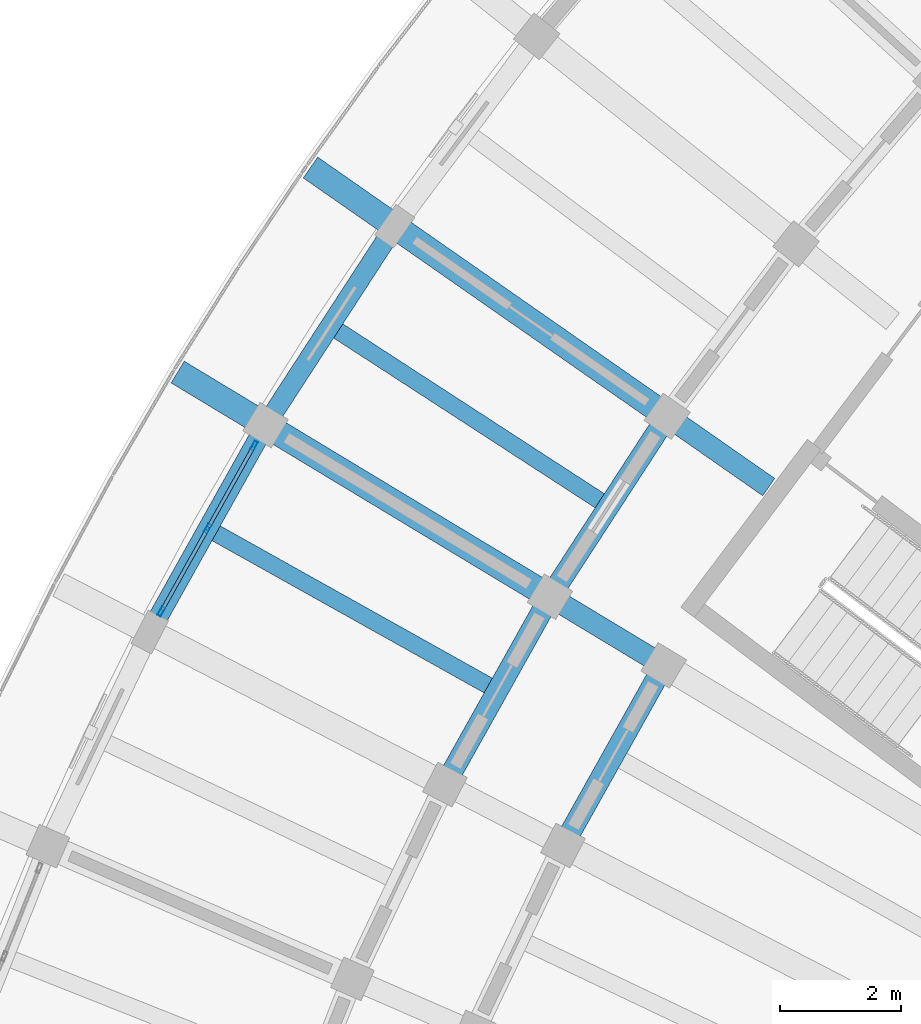
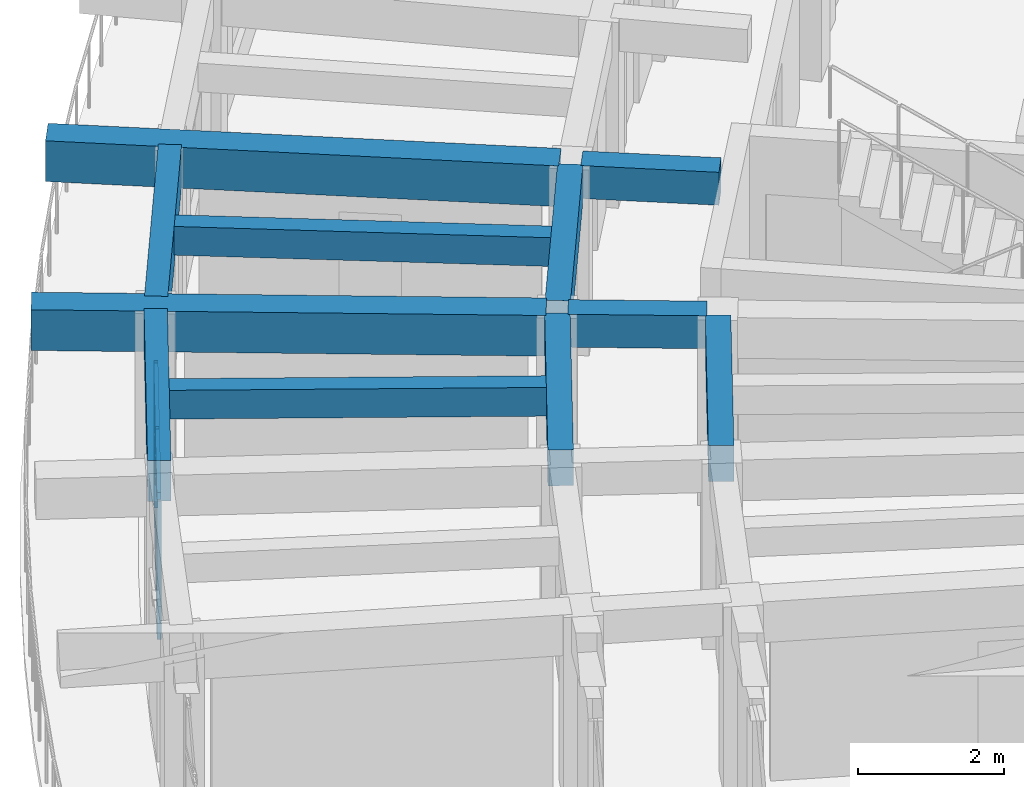
# One storey, part 14 of 96: 11 beams, 9 members, 1 element without a shape of its own.
"""IFC4 building model written with IfcOpenShell, lengths in metres."""

from ifc_helpers import new_model, si_unit, direction, frame, origin, origin_2d, place, context, subcontext, project, spatial, rectangle, hollow_rectangle, extrude, material, material_profile, profile_set, type_object, element, aggregate, save


model = new_model("IFC4")

# Units and contexts
model_context = context("Model", 3, precision=1e-05, world=origin(), true_north=direction((0.0, 1.0)))
body_context = subcontext(model_context, "Body", "Model", "MODEL_VIEW")
ifc_project = project(units=[si_unit("LENGTHUNIT", "METRE"), si_unit("AREAUNIT", "SQUARE_METRE"), si_unit("VOLUMEUNIT", "CUBIC_METRE"), si_unit("PLANEANGLEUNIT", "RADIAN"), si_unit("MASSUNIT", "GRAM", prefix="KILO")], contexts=[model_context])

# Site, building, storey
site_placement = place(None, origin())
site = spatial("IfcSite", under=ifc_project, at=site_placement, CompositionType="ELEMENT")
building_placement = place(site_placement, origin())
building = spatial("IfcBuilding", under=site, at=building_placement, Name="Tanwirah Colonnade Gardens", CompositionType="ELEMENT")
storey_placement = place(building_placement, frame((0.0, 0.0, 12.199951171875)))
storey = spatial("IfcBuildingStorey", under=building, at=storey_placement, Name="L03", CompositionType="ELEMENT", Elevation=12.199951171875)

# Beams
ifc_material_1 = material(Name="Precast concrete C40/50", Category="concrete")
ifc_material_profile_1 = material_profile(ifc_material_1, rectangle(XDim=0.35009765625, YDim=0.550048828125, at=origin_2d()), Name="PC-BM 350x550")
ifc_profile_set_1 = profile_set([ifc_material_profile_1], Name="Precast concrete C40/50")
beam_type_1 = type_object("IfcBeamType", Name="BM-PC350A", PredefinedType="BEAM", material=ifc_profile_set_1)
for number, where, z_axis, x_axis, name in (
    (1, (22.346435546875, 89.943359375, 2.830078125), (-0.820305001782, 0.571926309983, 0.0), (-0.571926309983, -0.820305001782, 0.0), "Block A L03 Corridor Tie Beam 13"),
    (2, (20.479248046875, 87.068359375, 2.830078125), (-0.856174920318, 0.516686080534, 0.0), (-0.516686080534, -0.856174920318, 0.0), "Block A L03 Corridor Tie Beam 14"),
):
    element("IfcBeam", number, at=place(storey_placement, frame(where, z_axis=z_axis, x_axis=x_axis)), inside=storey, type_object=beam_type_1, Name=name, PredefinedType="BEAM", context=body_context, shape_type="SweptSolid", body=[
        extrude(rectangle(XDim=0.35009765625, YDim=0.550048828125, at=origin_2d()), origin(), (0.0, 0.0, 1.0), 1.89990234375),
    ])
ifc_material_profile_2 = material_profile(ifc_material_1, rectangle(XDim=0.35009765625, YDim=0.60009765625, at=origin_2d()), Name="PC-BM 350x600")
ifc_profile_set_2 = profile_set([ifc_material_profile_2], Name="Precast concrete C40/50")
beam_type_2 = type_object("IfcBeamType", Name="BM-PC350B", PredefinedType="BEAM", material=ifc_profile_set_2)
beam_1_placement = place(storey_placement, frame((20.5830078125, 90.989990234375, 2.804931640625), z_axis=(-0.544627998385, -0.838677735114, 0.0), x_axis=(0.838677735114, -0.544627998385, 0.0)))
element("IfcBeam", 3, at=beam_1_placement, inside=storey, type_object=beam_type_2, Name="Block A L03 Circumferential Beam 13-R2", PredefinedType="BEAM", context=body_context, shape_type="SweptSolid", body=[
    extrude(rectangle(XDim=0.35009765625, YDim=0.60009765625, at=origin_2d()), origin(), (0.0, 0.0, 1.0), 3.262939453125),
])
beam_2_placement = place(storey_placement, frame((20.534423828125, 86.85986328125, 2.804931640625), z_axis=(-0.488200372352, -0.872731571811, 0.0), x_axis=(0.872731571811, -0.488200372352, 0.0)))
element("IfcBeam", 4, at=beam_2_placement, inside=storey, type_object=beam_type_2, Name="Block A L03 Circumferential Beam 14-R1", PredefinedType="BEAM", context=body_context, shape_type="SweptSolid", body=[
    extrude(rectangle(XDim=0.35009765625, YDim=0.60009765625, at=origin_2d()), origin(), (0.0, 0.0, 1.0), 3.117919921875),
])
beam_3_placement = place(storey_placement, frame((18.65087890625, 87.99658203125, 2.804931640625), z_axis=(-0.488213717102, -0.87272410671, 0.0), x_axis=(0.87272410671, -0.488213717102, 0.0)))
element("IfcBeam", 5, at=beam_3_placement, inside=storey, type_object=beam_type_2, Name="Block A L03 Circumferential Beam 14-R2", PredefinedType="BEAM", context=body_context, shape_type="SweptSolid", body=[
    extrude(rectangle(XDim=0.35009765625, YDim=0.60009765625, at=origin_2d()), origin(), (0.0, 0.0, 1.0), 3.262939453125),
])
ifc_material_2 = material(Name="Precast concrete C45/55", Category="concrete")
ifc_material_profile_3 = material_profile(ifc_material_2, rectangle(XDim=0.419921875, YDim=0.679931640625, at=origin_2d()), Name="PC-BM 420x680")
ifc_profile_set_3 = profile_set([ifc_material_profile_3], Name="Precast concrete C45/55")
beam_type_3 = type_object("IfcBeamType", Name="BM-PC420", PredefinedType="BEAM", material=ifc_profile_set_3)
for number, where, z_axis, x_axis, name in (
    (6, (20.541748046875, 91.20166015625, 2.76513671875), (-0.820270158139, 0.571976282433, 0.0), (-0.571976282433, -0.820270158139, 0.0), "Block A L03 Outer Radial Precast Girder 13"),
    (7, (18.595703125, 88.205078125, 2.76513671875), (-0.856157813984, 0.516714425533, 0.0), (-0.516714425533, -0.856157813984, 0.0), "Block A L03 Outer Radial Precast Girder 14"),
):
    element("IfcBeam", number, at=place(storey_placement, frame(where, z_axis=z_axis, x_axis=x_axis)), inside=storey, type_object=beam_type_3, Name=name, PredefinedType="BEAM", context=body_context, shape_type="SweptSolid", body=[
        extrude(rectangle(XDim=0.419921875, YDim=0.679931640625, at=origin_2d()), origin(), (0.0, 0.0, 1.0), 7.050048828125),
    ])

# Curtain wall, members
ifc_material_3 = material(Name="Bronze-anodised aluminium and solar-control low-E glass", Category="aluminium")
curtain_wall_type = type_object("IfcCurtainWallType", Name="CW-LOB", PredefinedType="NOTDEFINED", material=ifc_material_3)
curtain_wall_placement = place(storey_placement, origin())
curtain_wall = element("IfcCurtainWall", 8, at=curtain_wall_placement, inside=storey, type_object=curtain_wall_type, Name="Curtain Wall CW-A-L03-OUT-14", PredefinedType="NOTDEFINED")
ifc_material_4 = material(Name="Bronze-anodised aluminium", Category="aluminium")
ifc_material_profile_4 = material_profile(ifc_material_4, hollow_rectangle(XDim=0.06005859375, YDim=0.159912109375, WallThickness=0.00390625, at=origin_2d()), Name="CW-MUL 60x160x4")
ifc_profile_set_4 = profile_set([ifc_material_profile_4], Name="Bronze-anodised aluminium")
member_type_1 = type_object("IfcMemberType", Name="CWM-60x160", PredefinedType="MULLION", material=ifc_profile_set_4)
member_1_placement = place(storey_placement, frame((13.824951171875, 90.629150390625, 0.0), z_axis=(0.0, 0.0, 1.0), x_axis=(0.872732421781, -0.488198852899, 0.0)))
member_1 = element("IfcMember", 9, at=member_1_placement, type_object=member_type_1, Name="CW-LOB mullion 1", PredefinedType="MULLION", context=body_context, shape_type="SweptSolid", body=[
    extrude(hollow_rectangle(XDim=0.06005859375, YDim=0.159912109375, WallThickness=0.00390625, at=origin_2d()), origin(), (0.0, 0.0, 1.0), 2.35498046875),
])
member_2_placement = place(storey_placement, frame((13.056884765625, 89.25634765625, 0.0), z_axis=(0.0, 0.0, 1.0), x_axis=(0.872732421781, -0.488198852899, 0.0)))
member_2 = element("IfcMember", 10, at=member_2_placement, type_object=member_type_1, Name="CW-LOB mullion 2", PredefinedType="MULLION", context=body_context, shape_type="SweptSolid", body=[
    extrude(hollow_rectangle(XDim=0.06005859375, YDim=0.159912109375, WallThickness=0.00390625, at=origin_2d()), origin(), (0.0, 0.0, 1.0), 2.35498046875),
])
member_3_placement = place(storey_placement, frame((12.2890625, 87.8837890625, 0.0), z_axis=(0.0, 0.0, 1.0), x_axis=(0.872732421781, -0.488198852899, 0.0)))
member_3 = element("IfcMember", 11, at=member_3_placement, type_object=member_type_1, Name="CW-LOB mullion 3", PredefinedType="MULLION", context=body_context, shape_type="SweptSolid", body=[
    extrude(hollow_rectangle(XDim=0.06005859375, YDim=0.159912109375, WallThickness=0.00390625, at=origin_2d()), origin(), (0.0, 0.0, 1.0), 2.35498046875),
])
ifc_material_profile_5 = material_profile(ifc_material_4, hollow_rectangle(XDim=0.06005859375, YDim=0.1201171875, WallThickness=0.00390625, at=origin_2d()), Name="CW-TRN 60x120x4")
ifc_profile_set_5 = profile_set([ifc_material_profile_5], Name="Bronze-anodised aluminium")
member_type_2 = type_object("IfcMemberType", Name="CWT-60x120", PredefinedType="USERDEFINED", material=ifc_profile_set_5)
member_4_placement = place(storey_placement, frame((13.810302734375, 90.602783203125, 0.030029296875), z_axis=(-0.488298686347, -0.87267656833, 0.0), x_axis=(0.87267656833, -0.488298686347, 0.0)))
member_4 = element("IfcMember", 12, at=member_4_placement, type_object=member_type_2, Name="CW-LOB transom 1.1", ObjectType="TRANSOM", PredefinedType="USERDEFINED", context=body_context, shape_type="SweptSolid", body=[
    extrude(hollow_rectangle(XDim=0.06005859375, YDim=0.1201171875, WallThickness=0.00390625, at=origin_2d()), origin(), (0.0, 0.0, 1.0), 1.512939453125),
])
member_5_placement = place(storey_placement, frame((13.810302734375, 90.602783203125, 1.460205078125), z_axis=(-0.488298686347, -0.87267656833, 0.0), x_axis=(0.87267656833, -0.488298686347, 0.0)))
member_5 = element("IfcMember", 13, at=member_5_placement, type_object=member_type_2, Name="CW-LOB transom 1.2", ObjectType="TRANSOM", PredefinedType="USERDEFINED", context=body_context, shape_type="SweptSolid", body=[
    extrude(hollow_rectangle(XDim=0.06005859375, YDim=0.1201171875, WallThickness=0.00390625, at=origin_2d()), origin(), (0.0, 0.0, 1.0), 1.512939453125),
])
member_6_placement = place(storey_placement, frame((13.810302734375, 90.602783203125, 2.324951171875), z_axis=(-0.488298686347, -0.87267656833, 0.0), x_axis=(0.87267656833, -0.488298686347, 0.0)))
member_6 = element("IfcMember", 14, at=member_6_placement, type_object=member_type_2, Name="CW-LOB transom 1.3", ObjectType="TRANSOM", PredefinedType="USERDEFINED", context=body_context, shape_type="SweptSolid", body=[
    extrude(hollow_rectangle(XDim=0.06005859375, YDim=0.1201171875, WallThickness=0.00390625, at=origin_2d()), origin(), (0.0, 0.0, 1.0), 1.512939453125),
])
member_7_placement = place(storey_placement, frame((13.042236328125, 89.230224609375, 0.030029296875), z_axis=(-0.488175779921, -0.872745328202, 0.0), x_axis=(0.872745328202, -0.488175779921, 0.0)))
member_7 = element("IfcMember", 15, at=member_7_placement, type_object=member_type_2, Name="CW-LOB transom 2.1", ObjectType="TRANSOM", PredefinedType="USERDEFINED", context=body_context, shape_type="SweptSolid", body=[
    extrude(hollow_rectangle(XDim=0.06005859375, YDim=0.1201171875, WallThickness=0.00390625, at=origin_2d()), origin(), (0.0, 0.0, 1.0), 1.512939453125),
])
member_8_placement = place(storey_placement, frame((13.042236328125, 89.230224609375, 1.460205078125), z_axis=(-0.488175779921, -0.872745328202, 0.0), x_axis=(0.872745328202, -0.488175779921, 0.0)))
member_8 = element("IfcMember", 16, at=member_8_placement, type_object=member_type_2, Name="CW-LOB transom 2.2", ObjectType="TRANSOM", PredefinedType="USERDEFINED", context=body_context, shape_type="SweptSolid", body=[
    extrude(hollow_rectangle(XDim=0.06005859375, YDim=0.1201171875, WallThickness=0.00390625, at=origin_2d()), origin(), (0.0, 0.0, 1.0), 1.512939453125),
])
member_9_placement = place(storey_placement, frame((13.042236328125, 89.230224609375, 2.324951171875), z_axis=(-0.488175779921, -0.872745328202, 0.0), x_axis=(0.872745328202, -0.488175779921, 0.0)))
member_9 = element("IfcMember", 17, at=member_9_placement, type_object=member_type_2, Name="CW-LOB transom 2.3", ObjectType="TRANSOM", PredefinedType="USERDEFINED", context=body_context, shape_type="SweptSolid", body=[
    extrude(hollow_rectangle(XDim=0.06005859375, YDim=0.1201171875, WallThickness=0.00390625, at=origin_2d()), origin(), (0.0, 0.0, 1.0), 1.512939453125),
])
aggregate(curtain_wall, [member_1, member_2, member_3, member_4, member_5, member_6, member_7, member_8, member_9])

# Beams
ifc_material_profile_6 = material_profile(ifc_material_1, rectangle(XDim=0.280029296875, YDim=0.47998046875, at=origin_2d()), Name="PC-JST 280x480")
ifc_profile_set_6 = profile_set([ifc_material_profile_6], Name="Precast concrete C40/50")
beam_type_4 = type_object("IfcBeamType", Name="JST-PC280", PredefinedType="JOIST", material=ifc_profile_set_6)
beam_4_placement = place(storey_placement, frame((19.5693359375, 89.703125, 2.864990234375), z_axis=(-0.83868742622, 0.544613074669, 0.0), x_axis=(-0.544613074669, -0.83868742622, 0.0)))
element("IfcBeam", 18, at=beam_4_placement, inside=storey, type_object=beam_type_4, Name="Block A L03 Precast Floor Joist 13", PredefinedType="JOIST", context=body_context, shape_type="SweptSolid", body=[
    extrude(rectangle(XDim=0.280029296875, YDim=0.47998046875, at=origin_2d()), origin(), (0.0, 0.0, 1.0), 5.26025390625),
])
beam_5_placement = place(storey_placement, frame((17.72412109375, 86.645751953125, 2.864990234375), z_axis=(-0.872737031138, 0.488190612855, 0.0), x_axis=(-0.488190612855, -0.872737031138, 0.0)))
element("IfcBeam", 19, at=beam_5_placement, inside=storey, type_object=beam_type_4, Name="Block A L03 Precast Floor Joist 14", PredefinedType="JOIST", context=body_context, shape_type="SweptSolid", body=[
    extrude(rectangle(XDim=0.280029296875, YDim=0.47998046875, at=origin_2d()), origin(), (0.0, 0.0, 1.0), 5.260009765625),
])
ifc_material_profile_7 = material_profile(ifc_material_2, rectangle(XDim=0.320068359375, YDim=0.679931640625, at=origin_2d()), Name="PC-SP 320x680")
ifc_profile_set_7 = profile_set([ifc_material_profile_7], Name="Precast concrete C45/55")
beam_type_5 = type_object("IfcBeamType", Name="SP-PC320", PredefinedType="SPANDREL", material=ifc_profile_set_7)
for number, where, z_axis, x_axis, name in (
    (20, (16.071533203125, 94.135986328125, 2.76513671875), (-0.544621436184, -0.838681996497, 0.0), (0.838681996497, -0.544621436184, 0.0), "Block A L03 Circumferential Beam 13-R3"),
    (21, (13.942138671875, 90.838623046875, 2.76513671875), (-0.488236312193, -0.872711466326, 0.0), (0.872711466326, -0.488236312193, 0.0), "Block A L03 Circumferential Beam 14-R3"),
):
    element("IfcBeam", number, at=place(storey_placement, frame(where, z_axis=z_axis, x_axis=x_axis)), inside=storey, type_object=beam_type_5, Name=name, PredefinedType="SPANDREL", context=body_context, shape_type="SweptSolid", body=[
        extrude(rectangle(XDim=0.320068359375, YDim=0.679931640625, at=origin_2d()), origin(), (0.0, 0.0, 1.0), 3.625732421875),
    ])

save(model, "model.ifc")
